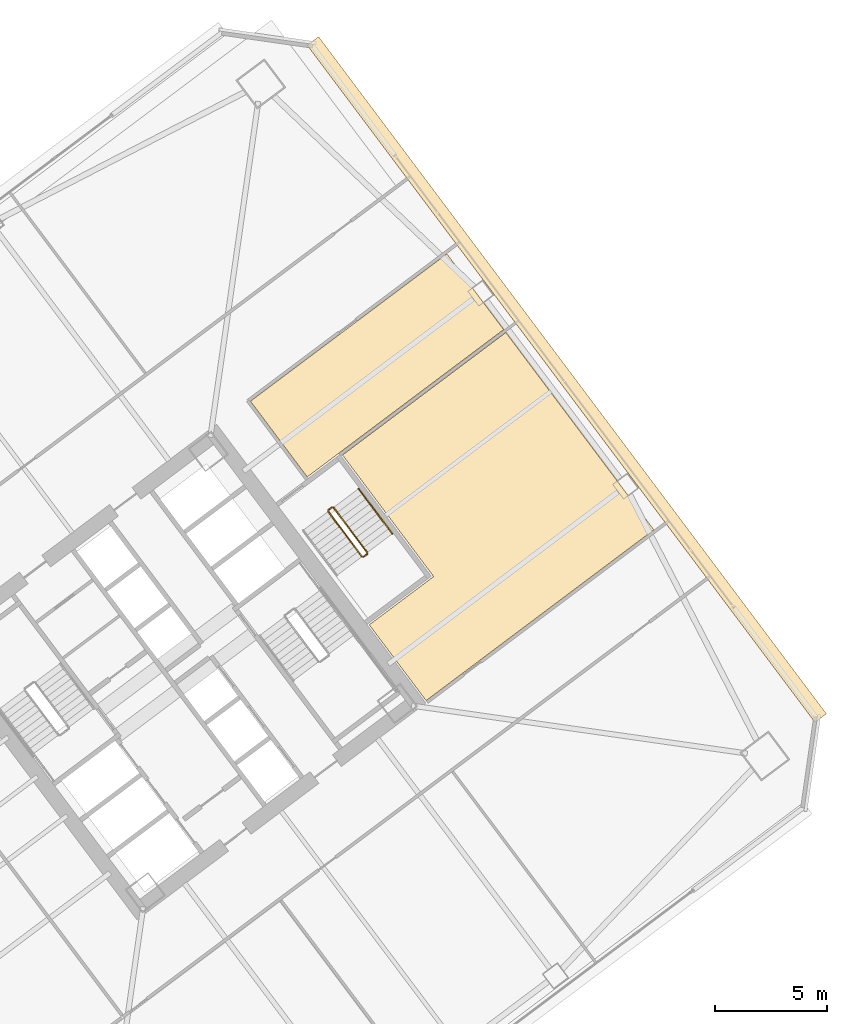
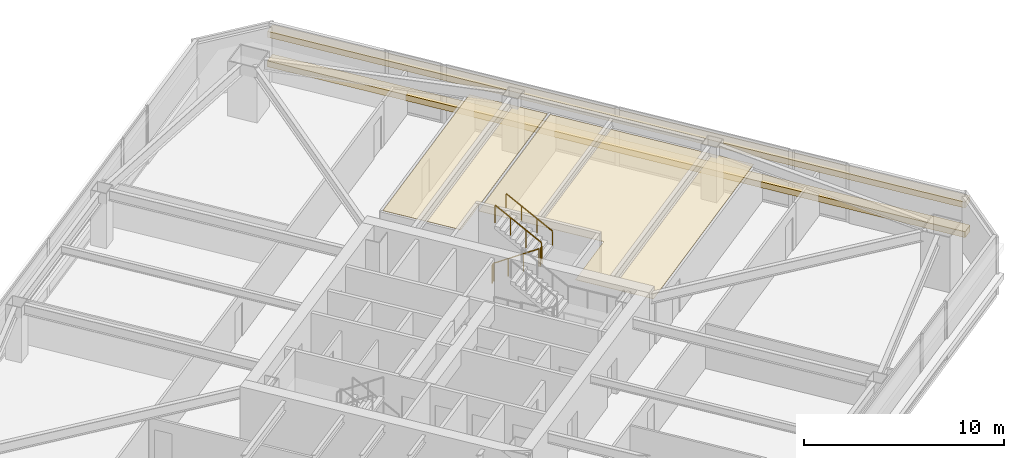
# One storey, part 46 of 48: 5 railings, 4 coverings.
"""IFC4 building model written with IfcOpenShell, lengths in metres."""

from ifc_helpers import new_model, si_unit, direction, frame, origin, origin_2d, place, context, subcontext, project, spatial, polyline, rectangle, outline, extrude, material, layer, layer_set, type_object, element, save


model = new_model("IFC4")

# Units and contexts
model_context = context("Model", 3, precision=1e-05, world=origin(), true_north=direction((0.0, 1.0)))
body_context = subcontext(model_context, "Body", "Model", "MODEL_VIEW")
ifc_project = project(units=[si_unit("LENGTHUNIT", "METRE"), si_unit("AREAUNIT", "SQUARE_METRE"), si_unit("VOLUMEUNIT", "CUBIC_METRE"), si_unit("PLANEANGLEUNIT", "RADIAN"), si_unit("MASSUNIT", "GRAM", prefix="KILO")], contexts=[model_context])

# Site, building, storey
site_placement = place(None, origin())
site = spatial("IfcSite", under=ifc_project, at=site_placement, CompositionType="ELEMENT")
building_placement = place(site_placement, origin())
building = spatial("IfcBuilding", under=site, at=building_placement, Name="Tashvorn Skyway Center", CompositionType="ELEMENT")
storey_placement = place(building_placement, frame((0.0, 0.0, 56.550048828125)))
storey = spatial("IfcBuildingStorey", under=building, at=storey_placement, Name="L14", CompositionType="ELEMENT", Elevation=56.550048828125)

# Coverings
ifc_material_1 = material(Name="Mineral-fibre acoustic ceiling tile on suspended grid")
ifc_layer_1 = layer(ifc_material_1, 0.02001953125)
ifc_layer_set_1 = layer_set([ifc_layer_1], Name="Mineral-fibre acoustic ceiling tile on suspended grid")
covering_type_1 = type_object("IfcCoveringType", Name="COV-CEIL-20", PredefinedType="CEILING", material=ifc_layer_set_1)
covering_1_placement = place(storey_placement, frame((0.0, 0.0, 2.682861328125)))
element("IfcCovering", 1, at=covering_1_placement, inside=storey, type_object=covering_type_1, Name="Tower 2 L14 Wellness Clinic Acoustic Ceiling", PredefinedType="CEILING", context=body_context, shape_type="SweptSolid", body=[
    extrude(outline(polyline([(119.840087890625, 40.72998046875), (117.2958984375, 44.1220703125), (126.087890625, 50.716064453125), (128.632080078125, 47.323974609375), (119.840087890625, 40.72998046875)])), origin(), (0.0, 0.0, 1.0), 0.02001953125),
])
covering_2_placement = place(storey_placement, frame((0.0, 0.0, 2.682861328125)))
element("IfcCovering", 2, at=covering_2_placement, inside=storey, type_object=covering_type_1, Name="Tower 2 L14 Public Restroom Acoustic Ceiling", PredefinedType="CEILING", context=body_context, shape_type="SweptSolid", body=[
    extrude(outline(polyline([(125.159912109375, 30.719970703125), (122.615966796875, 34.112060546875), (125.49609375, 36.27197265625), (121.416015625, 41.7119140625), (128.72802734375, 47.196044921875), (132.80810546875, 41.756103515625), (135.35205078125, 38.364013671875), (125.159912109375, 30.719970703125)])), origin(), (0.0, 0.0, 1.0), 0.02001953125),
])
ifc_material_2 = material(Name="Perforated ceramic-coated bronze aluminium solar screen", Category="aluminium")
ifc_layer_2 = layer(ifc_material_2, 0.85009765625)
ifc_layer_set_2 = layer_set([ifc_layer_2], Name="Perforated ceramic-coated bronze aluminium solar screen")
covering_type_2 = type_object("IfcCoveringType", Name="COV-SOLAR-BAND", PredefinedType="CLADDING", material=ifc_layer_set_2)
for number, where, z_axis, x_axis, name in (
    (3, (131.4560546875, 45.092041015625, 0.919921875), (0.0, 0.0, 1.0), (0.600000004945, -0.799999996291, 0.0), "L14 Perforated Ceramic-Metal Solar Screen Louvre Band East 1"),
    (4, (131.4560546875, 45.092041015625, 2.7197265625), (0.0, 0.0, 1.0), (0.600000004945, -0.799999996291, 0.0), "L14 Perforated Ceramic-Metal Solar Screen Louvre Band East 2"),
):
    element("IfcCovering", number, at=place(storey_placement, frame(where, z_axis=z_axis, x_axis=x_axis)), inside=storey, type_object=covering_type_2, Name=name, PredefinedType="CLADDING", context=body_context, shape_type="SweptSolid", body=[
        extrude(rectangle(XDim=37.8798828125, YDim=0.639892578125, at=origin_2d()), origin(), (0.0, 0.0, 1.0), 0.360107421875),
    ])

# Railings
ifc_material_3 = material(Name="Brushed stainless steel 316", Category="steel")
railing_type_1 = type_object("IfcRailingType", Name="RAIL-HAND-920", PredefinedType="HANDRAIL", material=ifc_material_3)
railing_1_placement = place(storey_placement, frame((123.64794921875, 38.18603515625, 1.952392578125)))
element("IfcRailing", 5, at=railing_1_placement, inside=storey, type_object=railing_type_1, Name="L14 ST-T2-3 stair handrail 2", PredefinedType="HANDRAIL", context=body_context, shape_type="SweptSolid", body=[
    extrude(rectangle(XDim=0.048095703125, YDim=0.048095703125, at=origin_2d()), frame((0.0, 0.0, 0.8759765625), z_axis=(-0.50674661542, 0.675634878657, 0.535467439255), x_axis=(-0.79998837352, -0.60001550166, 0.0)), (0.0, 0.0, 1.0), 2.983642578125),
    extrude(rectangle(XDim=0.0419921875, YDim=0.0419921875, at=origin_2d()), origin(), (0.0, 0.0, 1.0), 0.851806640625),
    extrude(rectangle(XDim=0.0419921875, YDim=0.0419921875, at=origin_2d()), frame((-0.50390625, 0.671875, 0.532470703125)), (0.0, 0.0, 1.0), 0.851806640625),
    extrude(rectangle(XDim=0.0419921875, YDim=0.0419921875, at=origin_2d()), frame((-1.008056640625, 1.343994140625, 1.065185546875)), (0.0, 0.0, 1.0), 0.851806640625),
    extrude(rectangle(XDim=0.0419921875, YDim=0.0419921875, at=origin_2d()), frame((-1.511962890625, 2.015869140625, 1.59765625)), (0.0, 0.0, 1.0), 0.851806640625),
])
ifc_material_4 = material(Name="Painted galvanized steel S355", Category="steel")
railing_type_2 = type_object("IfcRailingType", Name="RAIL-STGUARD-1100", PredefinedType="GUARDRAIL", material=ifc_material_4)
railing_2_placement = place(storey_placement, frame((120.77587890625, 39.181884765625, 0.177490234375)))
element("IfcRailing", 6, at=railing_2_placement, inside=storey, type_object=railing_type_2, Name="L14 ST-T2-3 stair guard 1", PredefinedType="GUARDRAIL", context=body_context, shape_type="SweptSolid", body=[
    extrude(rectangle(XDim=0.048095703125, YDim=0.048095703125, at=origin_2d()), frame((0.0, 0.0, 1.076171875), z_axis=(0.506829628838, -0.67563646195, 0.535386868177), x_axis=(0.799941867976, 0.600077501544, 0.0)), (0.0, 0.0, 1.0), 2.983642578125),
    extrude(rectangle(XDim=0.0419921875, YDim=0.0419921875, at=origin_2d()), origin(), (0.0, 0.0, 1.0), 1.052001953125),
    extrude(rectangle(XDim=0.0419921875, YDim=0.0419921875, at=origin_2d()), frame((0.504150390625, -0.671875, 0.532470703125)), (0.0, 0.0, 1.0), 1.052001953125),
    extrude(rectangle(XDim=0.0419921875, YDim=0.0419921875, at=origin_2d()), frame((1.008056640625, -1.343994140625, 1.06494140625)), (0.0, 0.0, 1.0), 1.052001953125),
    extrude(rectangle(XDim=0.0419921875, YDim=0.0419921875, at=origin_2d()), frame((1.51220703125, -2.015869140625, 1.597412109375)), (0.0, 0.0, 1.0), 1.052001953125),
])
railing_3_placement = place(storey_placement, frame((122.35791015625, 37.156005859375, 1.77490234375)))
element("IfcRailing", 7, at=railing_3_placement, inside=storey, type_object=railing_type_2, Name="L14 ST-T2-3 stair guard 2", PredefinedType="GUARDRAIL", context=body_context, shape_type="SweptSolid", body=[
    extrude(rectangle(XDim=0.048095703125, YDim=0.048095703125, at=origin_2d()), frame((0.0, 0.0, 1.076171875), z_axis=(0.800585412921, 0.599218655098, 0.0), x_axis=(-0.599218655098, 0.800585412921, 0.0)), (0.0, 0.0, 1.0), 0.199951171875),
    extrude(rectangle(XDim=0.0419921875, YDim=0.0419921875, at=origin_2d()), origin(), (0.0, 0.0, 1.0), 1.052001953125),
    extrude(rectangle(XDim=0.0419921875, YDim=0.0419921875, at=origin_2d()), frame((0.16015625, 0.119873046875, 0.0)), (0.0, 0.0, 1.0), 1.052001953125),
])
railing_4_placement = place(storey_placement, frame((122.528076171875, 37.345947265625, 1.952392578125)))
element("IfcRailing", 8, at=railing_4_placement, inside=storey, type_object=railing_type_2, Name="L14 ST-T2-3 stair guard 3", PredefinedType="GUARDRAIL", context=body_context, shape_type="SweptSolid", body=[
    extrude(rectangle(XDim=0.048095703125, YDim=0.048095703125, at=origin_2d()), frame((0.0, 0.0, 1.076171875), z_axis=(-0.506718600913, 0.675679348675, 0.535437836974), x_axis=(-0.800023250257, -0.599968998406, 0.0)), (0.0, 0.0, 1.0), 2.98388671875),
    extrude(rectangle(XDim=0.0419921875, YDim=0.0419921875, at=origin_2d()), origin(), (0.0, 0.0, 1.0), 1.052001953125),
    extrude(rectangle(XDim=0.0419921875, YDim=0.0419921875, at=origin_2d()), frame((-0.50390625, 0.672119140625, 0.532470703125)), (0.0, 0.0, 1.0), 1.052001953125),
    extrude(rectangle(XDim=0.0419921875, YDim=0.0419921875, at=origin_2d()), frame((-1.008056640625, 1.343994140625, 1.065185546875)), (0.0, 0.0, 1.0), 1.052001953125),
    extrude(rectangle(XDim=0.0419921875, YDim=0.0419921875, at=origin_2d()), frame((-1.511962890625, 2.01611328125, 1.59765625)), (0.0, 0.0, 1.0), 1.052001953125),
])
railing_5_placement = place(storey_placement, frame((120.785888671875, 39.251953125, 0.0)))
element("IfcRailing", 9, at=railing_5_placement, inside=storey, type_object=railing_type_2, Name="L14 ST-T2-3 stair guard 4", PredefinedType="GUARDRAIL", context=body_context, shape_type="SweptSolid", body=[
    extrude(rectangle(XDim=0.048095703125, YDim=0.048095703125, at=origin_2d()), frame((0.0, 0.0, 1.076171875), z_axis=(0.8, 0.6, 0.0), x_axis=(-0.6, 0.8, 0.0)), (0.0, 0.0, 1.0), 0.2001953125),
    extrude(rectangle(XDim=0.0419921875, YDim=0.0419921875, at=origin_2d()), origin(), (0.0, 0.0, 1.0), 1.052001953125),
    extrude(rectangle(XDim=0.0419921875, YDim=0.0419921875, at=origin_2d()), frame((0.16015625, 0.1201171875, 0.0)), (0.0, 0.0, 1.0), 1.052001953125),
])

save(model, "model.ifc")
